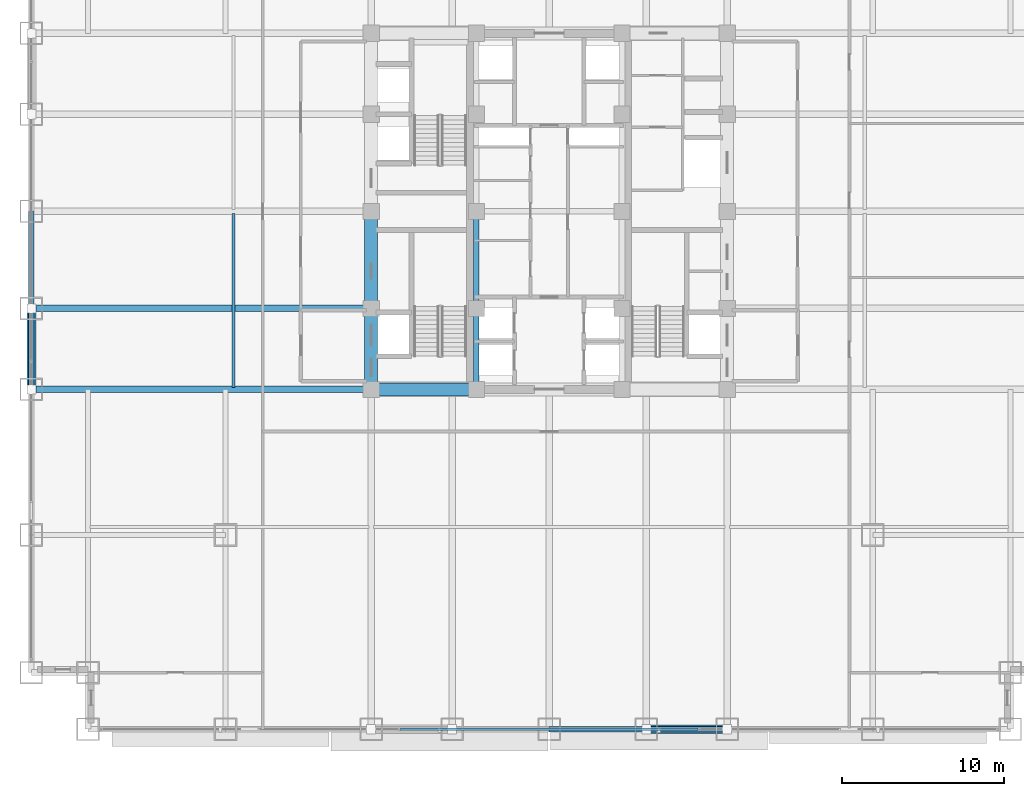
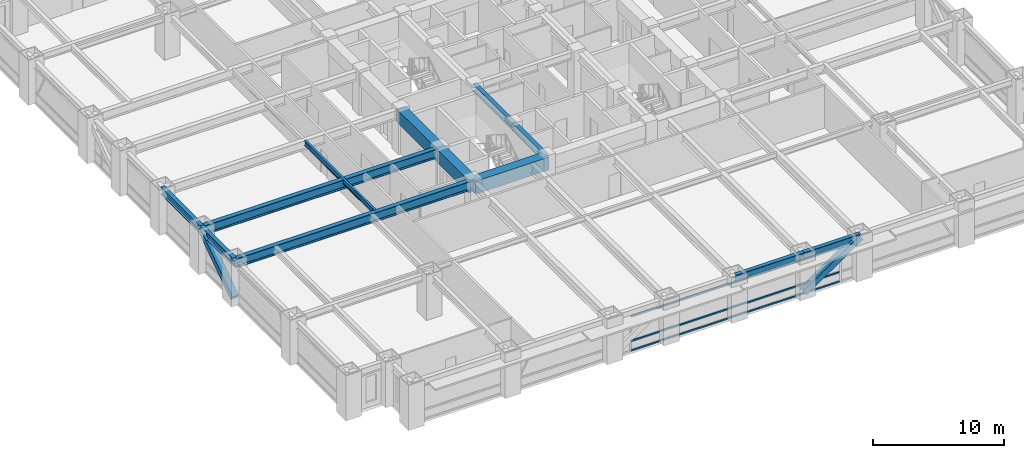
# One storey, part 7 of 31: 12 beams, 5 members, 1 element without a shape of its own.
"""IFC4 building model written with IfcOpenShell, lengths in metres."""

from ifc_helpers import new_model, si_unit, direction, frame, origin, origin_2d, place, context, subcontext, project, spatial, rectangle, hollow_rectangle, i_section, extrude, source, transform, mapped, material, material_profile, profile_set, type_object, element, aggregate, save


model = new_model("IFC4")

# Units and contexts
model_context = context("Model", 3, precision=1e-05, world=origin(), true_north=direction((0.0, 1.0)))
body_context = subcontext(model_context, "Body", "Model", "MODEL_VIEW")
ifc_project = project(units=[si_unit("LENGTHUNIT", "METRE"), si_unit("AREAUNIT", "SQUARE_METRE"), si_unit("VOLUMEUNIT", "CUBIC_METRE"), si_unit("PLANEANGLEUNIT", "RADIAN"), si_unit("MASSUNIT", "GRAM", prefix="KILO")], contexts=[model_context])

# Site, building, storey
site_placement = place(None, origin())
site = spatial("IfcSite", under=ifc_project, at=site_placement, CompositionType="ELEMENT")
building_placement = place(site_placement, origin())
building = spatial("IfcBuilding", under=site, at=building_placement, Name="Khorayat Bourse Tower", CompositionType="ELEMENT")
storey_placement = place(building_placement, frame((0.0, 0.0, 41.0)))
storey = spatial("IfcBuildingStorey", under=building, at=storey_placement, Name="L08", CompositionType="ELEMENT", Elevation=41.0)

# Beams
ifc_material_1 = material(Name="Concrete C72/90", Category="concrete")
ifc_material_profile_1 = material_profile(ifc_material_1, rectangle(XDim=0.800048828125, YDim=1.199951171875, at=origin_2d()), Name="RC 800x1200")
ifc_profile_set_1 = profile_set([ifc_material_profile_1], Name="Concrete C72/90")
beam_type_1 = type_object("IfcBeamType", Name="BM-COUP-1200", PredefinedType="BEAM", material=ifc_profile_set_1)
shared_shape_1 = source(origin(), body_context, "Body", "SweptSolid", [
    extrude(rectangle(XDim=0.800048828125, YDim=1.199951171875, at=origin_2d()), origin(), (0.0, 0.0, 1.0), 5.0),
])
beam_1_placement = place(storey_placement, frame((-11.0, -11.0, 3.340087890625), z_axis=(0.0, 1.0, 0.0), x_axis=(-1.0, 0.0, 0.0)))
element("IfcBeam", 1, at=beam_1_placement, inside=storey, type_object=beam_type_1, Name="L08 BM-COUP-1200 BM-L08-CRX-01", PredefinedType="BEAM", context=body_context, shape_type="MappedRepresentation", body=[
    mapped(shared_shape_1, transform((0.0, 0.0, 0.0), scale=1.0)),
])
shared_shape_2 = source(origin(), body_context, "Body", "SweptSolid", [
    extrude(rectangle(XDim=0.800048828125, YDim=1.199951171875, at=origin_2d()), origin(), (0.0, 0.0, 1.0), 6.0),
])
beam_2_placement = place(storey_placement, frame((-11.0, -6.0, 3.340087890625), z_axis=(0.0, 1.0, 0.0), x_axis=(-1.0, 0.0, 0.0)))
element("IfcBeam", 2, at=beam_2_placement, inside=storey, type_object=beam_type_1, Name="L08 BM-COUP-1200 BM-L08-CRX-02", PredefinedType="BEAM", context=body_context, shape_type="MappedRepresentation", body=[
    mapped(shared_shape_2, transform((0.0, 0.0, 0.0), scale=1.0)),
])
ifc_material_2 = material(Name="Steel ASTM A992 Grade 50", Category="steel")
ifc_material_profile_2 = material_profile(ifc_material_2, i_section(OverallWidth=0.35498046875, OverallDepth=0.695068359375, WebThickness=0.015380859375, FlangeThickness=0.02490234375, FilletRadius=0.01806640625, at=origin_2d()), Name="W690X217")
ifc_profile_set_2 = profile_set([ifc_material_profile_2], Name="Steel ASTM A992 Grade 50")
beam_type_2 = type_object("IfcBeamType", Name="BM-GIRD-690", PredefinedType="BEAM", material=ifc_profile_set_2)
shared_shape_3 = source(origin(), body_context, "Body", "SweptSolid", [
    extrude(i_section(OverallWidth=0.35498046875, OverallDepth=0.695068359375, WebThickness=0.015380859375, FlangeThickness=0.02490234375, FilletRadius=0.01806640625, at=origin_2d()), origin(), (0.0, 0.0, 1.0), 5.0),
])
beam_3_placement = place(storey_placement, frame((-4.5, -11.0, 3.592529296875), z_axis=(0.0, 1.0, 0.0), x_axis=(-1.0, 0.0, 0.0)))
element("IfcBeam", 3, at=beam_3_placement, inside=storey, type_object=beam_type_2, Name="L08 BM-GIRD-690 BM-L08-CRX-05", PredefinedType="BEAM", context=body_context, shape_type="MappedRepresentation", body=[
    mapped(shared_shape_3, transform((0.0, 0.0, 0.0), scale=1.0)),
])
shared_shape_4 = source(origin(), body_context, "Body", "SweptSolid", [
    extrude(i_section(OverallWidth=0.35498046875, OverallDepth=0.695068359375, WebThickness=0.015380859375, FlangeThickness=0.02490234375, FilletRadius=0.01806640625, at=origin_2d()), origin(), (0.0, 0.0, 1.0), 6.0),
])
beam_4_placement = place(storey_placement, frame((-4.5, -6.0, 3.592529296875), z_axis=(0.0, 1.0, 0.0), x_axis=(-1.0, 0.0, 0.0)))
element("IfcBeam", 4, at=beam_4_placement, inside=storey, type_object=beam_type_2, Name="L08 BM-GIRD-690 BM-L08-CRX-06", PredefinedType="BEAM", context=body_context, shape_type="MappedRepresentation", body=[
    mapped(shared_shape_4, transform((0.0, 0.0, 0.0), scale=1.0)),
])
shared_shape_5 = source(origin(), body_context, "Body", "SweptSolid", [
    extrude(rectangle(XDim=0.800048828125, YDim=1.199951171875, at=origin_2d()), origin(), (0.0, 0.0, 1.0), 6.5),
])
beam_5_placement = place(storey_placement, frame((-11.0, -11.0, 3.340087890625), z_axis=(1.0, 0.0, 0.0), x_axis=(0.0, 1.0, 0.0)))
element("IfcBeam", 5, at=beam_5_placement, inside=storey, type_object=beam_type_1, Name="L08 BM-COUP-1200 BM-L08-CRY-17", PredefinedType="BEAM", context=body_context, shape_type="MappedRepresentation", body=[
    mapped(shared_shape_5, transform((0.0, 0.0, 0.0), scale=1.0)),
])
ifc_material_profile_3 = material_profile(ifc_material_2, i_section(OverallWidth=0.35498046875, OverallDepth=0.695068359375, WebThickness=0.015380859375, FlangeThickness=0.02490234375, FilletRadius=0.01806640625, at=origin_2d()), Name="W690X217")
ifc_profile_set_3 = profile_set([ifc_material_profile_3], Name="Steel ASTM A992 Grade 50")
beam_type_3 = type_object("IfcBeamType", Name="BM-SPAN-690", PredefinedType="SPANDREL", material=ifc_profile_set_3)
shared_shape_6 = source(origin(), body_context, "Body", "SweptSolid", [
    extrude(i_section(OverallWidth=0.35498046875, OverallDepth=0.695068359375, WebThickness=0.015380859375, FlangeThickness=0.02490234375, FilletRadius=0.01806640625, at=origin_2d()), origin(), (0.0, 0.0, 1.0), 5.0),
])
for number, where, z_axis, x_axis, name in (
    (6, (6.0, -32.0, 3.592529296875), (1.0, 0.0, 0.0), (0.0, 1.0, 0.0), "L08 BM-SPAN-690 BM-L08-SPN-029"),
    (7, (-32.0, -11.0, 3.592529296875), (0.0, 1.0, 0.0), (-1.0, 0.0, 0.0), "L08 BM-SPAN-690 BM-L08-SPN-059"),
):
    element("IfcBeam", number, at=place(storey_placement, frame(where, z_axis=z_axis, x_axis=x_axis)), inside=storey, type_object=beam_type_3, Name=name, PredefinedType="SPANDREL", context=body_context, shape_type="MappedRepresentation", body=[
        mapped(shared_shape_6, transform((0.0, 0.0, 0.0), scale=1.0)),
    ])
shared_shape_7 = source(origin(), body_context, "Body", "SweptSolid", [
    extrude(i_section(OverallWidth=0.35498046875, OverallDepth=0.695068359375, WebThickness=0.015380859375, FlangeThickness=0.02490234375, FilletRadius=0.01806640625, at=origin_2d()), origin(), (0.0, 0.0, 1.0), 6.0),
])
for number, where, z_axis, x_axis, name in (
    (8, (0.0, -32.0, 3.592529296875), (1.0, 0.0, 0.0), (0.0, 1.0, 0.0), "L08 BM-SPAN-690 BM-L08-SPN-028"),
    (9, (-32.0, -6.0, 3.592529296875), (0.0, 1.0, 0.0), (-1.0, 0.0, 0.0), "L08 BM-SPAN-690 BM-L08-SPN-058"),
):
    element("IfcBeam", number, at=place(storey_placement, frame(where, z_axis=z_axis, x_axis=x_axis)), inside=storey, type_object=beam_type_3, Name=name, PredefinedType="SPANDREL", context=body_context, shape_type="MappedRepresentation", body=[
        mapped(shared_shape_7, transform((0.0, 0.0, 0.0), scale=1.0)),
    ])
ifc_material_profile_4 = material_profile(ifc_material_2, i_section(OverallWidth=0.39990234375, OverallDepth=0.85498046875, WebThickness=0.018310546875, FlangeThickness=0.029296875, FilletRadius=0.02001953125, at=origin_2d()), Name="W840X299")
ifc_profile_set_4 = profile_set([ifc_material_profile_4], Name="Steel ASTM A992 Grade 50")
beam_type_4 = type_object("IfcBeamType", Name="BM-GIRD-840", PredefinedType="BEAM", material=ifc_profile_set_4)
shared_shape_8 = source(origin(), body_context, "Body", "SweptSolid", [
    extrude(i_section(OverallWidth=0.39990234375, OverallDepth=0.85498046875, WebThickness=0.018310546875, FlangeThickness=0.029296875, FilletRadius=0.02001953125, at=origin_2d()), origin(), (0.0, 0.0, 1.0), 21.0),
])
for number, where, z_axis, x_axis, name in (
    (10, (-32.0, -11.0, 3.512451171875), (1.0, 0.0, 0.0), (0.0, 1.0, 0.0), "L08 BM-GIRD-840 BM-L08-RADX-075"),
    (11, (-32.0, -6.0, 3.512451171875), (1.0, 0.0, 0.0), (0.0, 1.0, 0.0), "L08 BM-GIRD-840 BM-L08-RADX-077"),
):
    element("IfcBeam", number, at=place(storey_placement, frame(where, z_axis=z_axis, x_axis=x_axis)), inside=storey, type_object=beam_type_4, Name=name, PredefinedType="BEAM", context=body_context, shape_type="MappedRepresentation", body=[
        mapped(shared_shape_8, transform((0.0, 0.0, 0.0), scale=1.0)),
    ])
ifc_material_profile_5 = material_profile(ifc_material_2, i_section(OverallWidth=0.194091796875, OverallDepth=0.468994140625, WebThickness=0.0126953125, FlangeThickness=0.0205078125, FilletRadius=0.012939453125, at=origin_2d()), Name="W460X106")
ifc_profile_set_5 = profile_set([ifc_material_profile_5], Name="Steel ASTM A992 Grade 50")
beam_type_5 = type_object("IfcBeamType", Name="BM-JOIST-460", PredefinedType="JOIST", material=ifc_profile_set_5)
shared_shape_9 = source(origin(), body_context, "Body", "SweptSolid", [
    extrude(i_section(OverallWidth=0.194091796875, OverallDepth=0.468994140625, WebThickness=0.0126953125, FlangeThickness=0.0205078125, FilletRadius=0.012939453125, at=origin_2d()), origin(), (0.0, 0.0, 1.0), 10.740234375),
])
beam_6_placement = place(storey_placement, frame((-19.5, -10.8701171875, 3.70556640625), z_axis=(0.0, 1.0, 0.0), x_axis=(-1.0, 0.0, 0.0)))
element("IfcBeam", 12, at=beam_6_placement, inside=storey, type_object=beam_type_5, Name="L08 BM-JOIST-460 BM-L08-JSTY-102", PredefinedType="JOIST", context=body_context, shape_type="MappedRepresentation", body=[
    mapped(shared_shape_9, transform((0.0, 0.0, 0.0), scale=1.0)),
])

# Members
ifc_material_3 = material(Name="Steel EN 10025-4 S460M", Category="steel")
ifc_material_profile_6 = material_profile(ifc_material_3, hollow_rectangle(XDim=0.550048828125, YDim=0.550048828125, WallThickness=0.031982421875, at=origin_2d()), Name="HSS 550x550x32")
ifc_profile_set_6 = profile_set([ifc_material_profile_6], Name="Steel EN 10025-4 S460M")
member_type_1 = type_object("IfcMemberType", Name="MBR-TUBE-550", PredefinedType="BRACE", material=ifc_profile_set_6)
shared_shape_10 = source(origin(), body_context, "Body", "SweptSolid", [
    extrude(hollow_rectangle(XDim=0.550048828125, YDim=0.550048828125, WallThickness=0.031982421875, at=origin_2d()), origin(), (0.0, 0.0, 1.0), 6.069091796875),
])
for number, where, z_axis, x_axis, name in (
    (13, (6.0, -32.0, 0.25), (0.823854080622, 0.0, 0.566801952928), (0.0, 1.0, 0.0), "L08 Perimeter Tube Brace 02"),
    (14, (-32.0, -11.0, 0.25), (0.0, 0.823854080622, 0.566801952928), (-1.0, 0.0, 0.0), "L08 Perimeter Tube Brace 05"),
):
    element("IfcMember", number, at=place(storey_placement, frame(where, z_axis=z_axis, x_axis=x_axis)), inside=storey, type_object=member_type_1, Name=name, PredefinedType="BRACE", context=body_context, shape_type="MappedRepresentation", body=[
        mapped(shared_shape_10, transform((0.0, 0.0, 0.0), scale=1.0)),
    ])

# Curtain wall, members
ifc_material_4 = material(Name="Aluminium EN AW-6063 T6", Category="aluminium")
curtain_wall_type = type_object("IfcCurtainWallType", Name="CW-SYS-02", PredefinedType="NOTDEFINED", material=ifc_material_4)
curtain_wall_placement = place(storey_placement, origin())
curtain_wall = element("IfcCurtainWall", 15, at=curtain_wall_placement, inside=storey, type_object=curtain_wall_type, Name="L08 Curtain Wall CW-L08-S1", PredefinedType="NOTDEFINED")
ifc_material_profile_7 = material_profile(ifc_material_4, hollow_rectangle(XDim=0.139892578125, YDim=0.139892578125, WallThickness=0.006103515625, at=origin_2d()), Name="ALU 140x140x6")
ifc_profile_set_7 = profile_set([ifc_material_profile_7], Name="Aluminium EN AW-6063 T6")
member_type_2 = type_object("IfcMemberType", Name="CWT-HORZ-140", PredefinedType="USERDEFINED", material=ifc_profile_set_7)
shared_shape_11 = source(origin(), body_context, "Body", "SweptSolid", [
    extrude(hollow_rectangle(XDim=0.139892578125, YDim=0.139892578125, WallThickness=0.006103515625, at=origin_2d()), origin(), (0.0, 0.0, 1.0), 18.35986328125),
])
member_1_placement = place(storey_placement, frame((-9.179931640625, -32.0, 0.070068359375), z_axis=(1.0, 0.0, 0.0), x_axis=(0.0, 1.0, 0.0)))
member_1 = element("IfcMember", 16, at=member_1_placement, type_object=member_type_2, Name="CW-L08-S1 Horizontal Transom 2-1", ObjectType="TRANSOM", PredefinedType="USERDEFINED", context=body_context, shape_type="MappedRepresentation", body=[
    mapped(shared_shape_11, transform((0.0, 0.0, 0.0), scale=1.0)),
])
member_2_placement = place(storey_placement, frame((-9.179931640625, -32.0, 0.949951171875), z_axis=(1.0, 0.0, 0.0), x_axis=(0.0, 1.0, 0.0)))
member_2 = element("IfcMember", 17, at=member_2_placement, type_object=member_type_2, Name="CW-L08-S1 Horizontal Transom 2-2", ObjectType="TRANSOM", PredefinedType="USERDEFINED", context=body_context, shape_type="MappedRepresentation", body=[
    mapped(shared_shape_11, transform((0.0, 0.0, 0.0), scale=1.0)),
])
member_3_placement = place(storey_placement, frame((-9.179931640625, -32.0, 3.219970703125), z_axis=(1.0, 0.0, 0.0), x_axis=(0.0, 1.0, 0.0)))
member_3 = element("IfcMember", 18, at=member_3_placement, type_object=member_type_2, Name="CW-L08-S1 Horizontal Transom 2-3", ObjectType="TRANSOM", PredefinedType="USERDEFINED", context=body_context, shape_type="MappedRepresentation", body=[
    mapped(shared_shape_11, transform((0.0, 0.0, 0.0), scale=1.0)),
])
aggregate(curtain_wall, [member_1, member_2, member_3])

save(model, "model.ifc")
